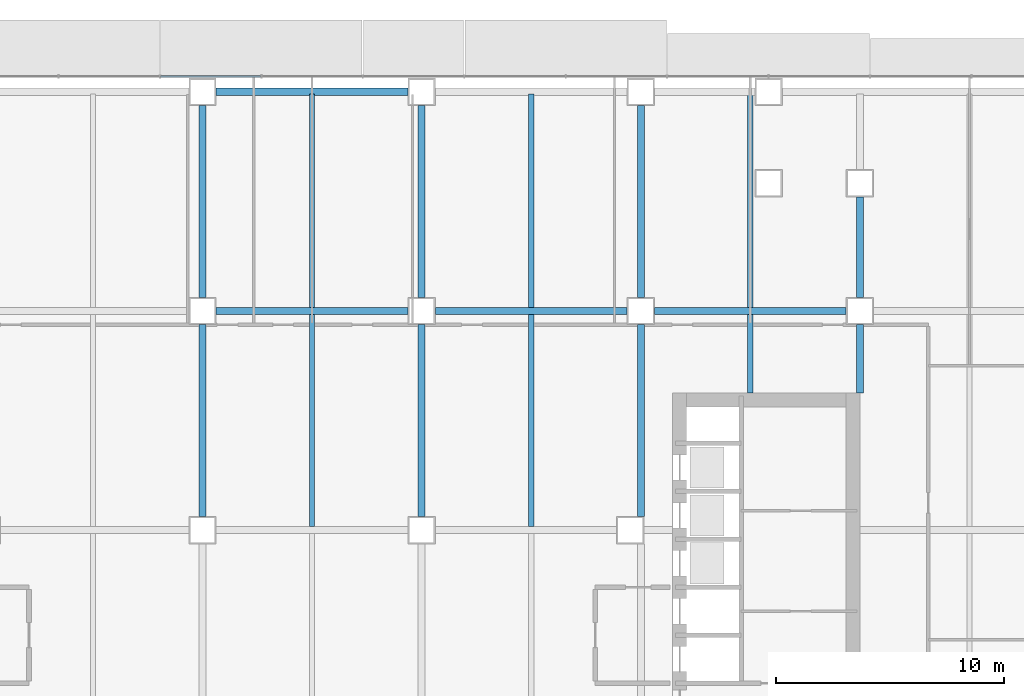
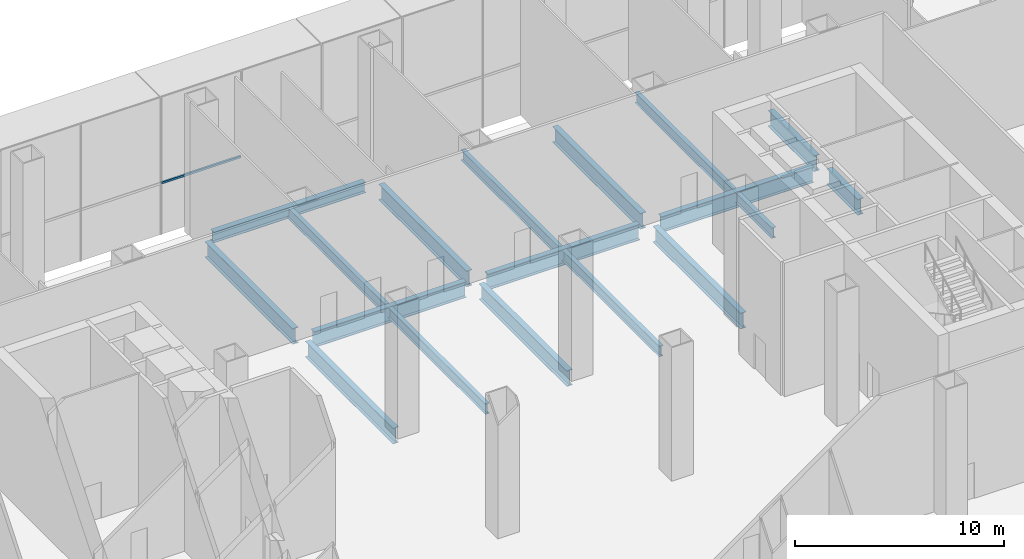
# One storey, part 9 of 24: 18 beams, 1 member, 1 element without a shape of its own.
"""IFC4 building model written with IfcOpenShell, lengths in metres."""

from ifc_helpers import new_model, si_unit, direction, frame, origin, origin_2d, place, context, subcontext, project, spatial, rectangle, i_section, extrude, material, material_profile, profile_set, type_object, element, aggregate, save


model = new_model("IFC4")

# Units and contexts
model_context = context("Model", 3, precision=1e-05, world=origin(), true_north=direction((0.0, 1.0)))
body_context = subcontext(model_context, "Body", "Model", "MODEL_VIEW")
ifc_project = project(units=[si_unit("LENGTHUNIT", "METRE"), si_unit("AREAUNIT", "SQUARE_METRE"), si_unit("VOLUMEUNIT", "CUBIC_METRE"), si_unit("PLANEANGLEUNIT", "RADIAN"), si_unit("MASSUNIT", "GRAM", prefix="KILO")], contexts=[model_context])

# Site, building, storey
site_placement = place(None, origin())
site = spatial("IfcSite", under=ifc_project, at=site_placement, CompositionType="ELEMENT")
building_placement = place(site_placement, origin())
building = spatial("IfcBuilding", under=site, at=building_placement, Name="Cobrizo Arcos Hotel Tower", CompositionType="ELEMENT")
storey_placement = place(building_placement, frame((0.0, 0.0, 7.5)))
storey = spatial("IfcBuildingStorey", under=building, at=storey_placement, Name="L01", CompositionType="ELEMENT", Elevation=7.5)

# Curtain wall, member
ifc_material_1 = material(Name="Aluminium 6063-T6 anodised bronze", Category="aluminium")
curtain_wall_type = type_object("IfcCurtainWallType", Name="CW-A guest facade", PredefinedType="NOTDEFINED", material=ifc_material_1)
curtain_wall_placement = place(storey_placement, origin())
curtain_wall = element("IfcCurtainWall", 1, at=curtain_wall_placement, inside=storey, type_object=curtain_wall_type, Name="CW-A L01 N face", PredefinedType="NOTDEFINED")
ifc_material_profile_1 = material_profile(ifc_material_1, rectangle(XDim=0.10009765625, YDim=0.1201171875, at=origin_2d()), Name="CW-A transom 120x100")
ifc_profile_set_1 = profile_set([ifc_material_profile_1], Name="Aluminium 6063-T6 anodised bronze")
member_type = type_object("IfcMemberType", Name="CW-A transom 120x100", PredefinedType="USERDEFINED", material=ifc_profile_set_1)
member_placement = place(storey_placement, frame((-2.252197265625, 24.675048828125, 3.0), z_axis=(-1.0, 0.0, 0.0), x_axis=(0.0, -1.0, 0.0)))
member = element("IfcMember", 2, at=member_placement, type_object=member_type, Name="CW-A transom 72", ObjectType="TRANSOM", PredefinedType="USERDEFINED", context=body_context, shape_type="SweptSolid", body=[
    extrude(rectangle(XDim=0.10009765625, YDim=0.1201171875, at=origin_2d()), origin(), (0.0, 0.0, 1.0), 4.384521484375),
])
aggregate(curtain_wall, [member])

# Beams
ifc_material_2 = material(Name="Steel ASTM A992 Grade 50", Category="steel")
ifc_material_profile_2 = material_profile(ifc_material_2, i_section(OverallWidth=0.32763671875, OverallDepth=0.622314453125, WebThickness=0.015380859375, FlangeThickness=0.0244140625, at=origin_2d()), Name="W24X131")
ifc_profile_set_2 = profile_set([ifc_material_profile_2], Name="Steel ASTM A992 Grade 50")
beam_type_1 = type_object("IfcBeamType", Name="W24X131 spandrel", PredefinedType="SPANDREL", material=ifc_profile_set_2)
beam_1_placement = place(storey_placement, frame((4.199951171875, 24.0, -0.56103515625), z_axis=(-1.0, 0.0, 0.0), x_axis=(0.0, -1.0, 0.0)))
element("IfcBeam", 3, at=beam_1_placement, inside=storey, type_object=beam_type_1, Name="Spandrel beam W24X131, L01, no. 004", PredefinedType="SPANDREL", context=body_context, shape_type="SweptSolid", body=[
    extrude(i_section(OverallWidth=0.32763671875, OverallDepth=0.622314453125, WebThickness=0.015380859375, FlangeThickness=0.0244140625, at=origin_2d()), origin(), (0.0, 0.0, 1.0), 8.39990234375),
])
ifc_material_profile_3 = material_profile(ifc_material_2, i_section(OverallWidth=0.23046875, OverallDepth=0.6171875, WebThickness=0.01318359375, FlangeThickness=0.022216796875, at=origin_2d()), Name="W24X94")
ifc_profile_set_3 = profile_set([ifc_material_profile_3], Name="Steel ASTM A992 Grade 50")
beam_type_2 = type_object("IfcBeamType", Name="W24X94 podium joist", PredefinedType="JOIST", material=ifc_profile_set_3)
beam_2_placement = place(storey_placement, frame((0.0, 4.95361328125, -0.55859375), z_axis=(0.0, 1.0, 0.0), x_axis=(-1.0, 0.0, 0.0)))
element("IfcBeam", 4, at=beam_2_placement, inside=storey, type_object=beam_type_2, Name="Podium joist PJ1, L01, no. 018", PredefinedType="JOIST", context=body_context, shape_type="SweptSolid", body=[
    extrude(i_section(OverallWidth=0.23046875, OverallDepth=0.6171875, WebThickness=0.01318359375, FlangeThickness=0.022216796875, at=origin_2d()), origin(), (0.0, 0.0, 1.0), 9.292724609375),
])
beam_3_placement = place(storey_placement, frame((0.0, 14.5537109375, -0.55859375), z_axis=(0.0, 1.0, 0.0), x_axis=(-1.0, 0.0, 0.0)))
element("IfcBeam", 5, at=beam_3_placement, inside=storey, type_object=beam_type_2, Name="Podium joist PJ1, L01, no. 019", PredefinedType="JOIST", context=body_context, shape_type="SweptSolid", body=[
    extrude(i_section(OverallWidth=0.23046875, OverallDepth=0.6171875, WebThickness=0.01318359375, FlangeThickness=0.022216796875, at=origin_2d()), origin(), (0.0, 0.0, 1.0), 9.356201171875),
])
beam_4_placement = place(storey_placement, frame((9.60009765625, 4.95361328125, -0.55859375), z_axis=(0.0, 1.0, 0.0), x_axis=(-1.0, 0.0, 0.0)))
element("IfcBeam", 6, at=beam_4_placement, inside=storey, type_object=beam_type_2, Name="Podium joist PJ1, L01, no. 023", PredefinedType="JOIST", context=body_context, shape_type="SweptSolid", body=[
    extrude(i_section(OverallWidth=0.23046875, OverallDepth=0.6171875, WebThickness=0.01318359375, FlangeThickness=0.022216796875, at=origin_2d()), origin(), (0.0, 0.0, 1.0), 9.292724609375),
])
beam_5_placement = place(storey_placement, frame((9.60009765625, 14.5537109375, -0.55859375), z_axis=(0.0, 1.0, 0.0), x_axis=(-1.0, 0.0, 0.0)))
element("IfcBeam", 7, at=beam_5_placement, inside=storey, type_object=beam_type_2, Name="Podium joist PJ1, L01, no. 024", PredefinedType="JOIST", context=body_context, shape_type="SweptSolid", body=[
    extrude(i_section(OverallWidth=0.23046875, OverallDepth=0.6171875, WebThickness=0.01318359375, FlangeThickness=0.022216796875, at=origin_2d()), origin(), (0.0, 0.0, 1.0), 9.356201171875),
])
beam_6_placement = place(storey_placement, frame((19.199951171875, 10.81005859375, -0.55859375), z_axis=(0.0, 1.0, 0.0), x_axis=(-1.0, 0.0, 0.0)))
element("IfcBeam", 8, at=beam_6_placement, inside=storey, type_object=beam_type_2, Name="Podium joist PJ1, L01, no. 027", PredefinedType="JOIST", context=body_context, shape_type="SweptSolid", body=[
    extrude(i_section(OverallWidth=0.23046875, OverallDepth=0.6171875, WebThickness=0.01318359375, FlangeThickness=0.022216796875, at=origin_2d()), origin(), (0.0, 0.0, 1.0), 3.436279296875),
])
beam_7_placement = place(storey_placement, frame((19.199951171875, 14.5537109375, -0.55859375), z_axis=(0.0, 1.0, 0.0), x_axis=(-1.0, 0.0, 0.0)))
element("IfcBeam", 9, at=beam_7_placement, inside=storey, type_object=beam_type_2, Name="Podium joist PJ1, L01, no. 028", PredefinedType="JOIST", context=body_context, shape_type="SweptSolid", body=[
    extrude(i_section(OverallWidth=0.23046875, OverallDepth=0.6171875, WebThickness=0.01318359375, FlangeThickness=0.022216796875, at=origin_2d()), origin(), (0.0, 0.0, 1.0), 9.356201171875),
])
ifc_material_profile_4 = material_profile(ifc_material_2, i_section(OverallWidth=0.307373046875, OverallDepth=0.927001953125, WebThickness=0.01953125, FlangeThickness=0.031982421875, at=origin_2d()), Name="W36X194")
ifc_profile_set_4 = profile_set([ifc_material_profile_4], Name="Steel ASTM A992 Grade 50")
beam_type_3 = type_object("IfcBeamType", Name="W36X194 podium girder", PredefinedType="BEAM", material=ifc_profile_set_4)
beam_8_placement = place(storey_placement, frame((-4.199951171875, 14.39990234375, -0.71337890625), z_axis=(1.0, 0.0, 0.0), x_axis=(0.0, 1.0, 0.0)))
element("IfcBeam", 10, at=beam_8_placement, inside=storey, type_object=beam_type_3, Name="Podium girder PG1, L01, no. 030", PredefinedType="BEAM", context=body_context, shape_type="SweptSolid", body=[
    extrude(i_section(OverallWidth=0.307373046875, OverallDepth=0.927001953125, WebThickness=0.01953125, FlangeThickness=0.031982421875, at=origin_2d()), origin(), (0.0, 0.0, 1.0), 8.39990234375),
])
beam_9_placement = place(storey_placement, frame((5.39990234375, 14.39990234375, -0.71337890625), z_axis=(1.0, 0.0, 0.0), x_axis=(0.0, 1.0, 0.0)))
element("IfcBeam", 11, at=beam_9_placement, inside=storey, type_object=beam_type_3, Name="Podium girder PG1, L01, no. 031", PredefinedType="BEAM", context=body_context, shape_type="SweptSolid", body=[
    extrude(i_section(OverallWidth=0.307373046875, OverallDepth=0.927001953125, WebThickness=0.01953125, FlangeThickness=0.031982421875, at=origin_2d()), origin(), (0.0, 0.0, 1.0), 8.400146484375),
])
beam_10_placement = place(storey_placement, frame((15.0, 14.39990234375, -0.71337890625), z_axis=(1.0, 0.0, 0.0), x_axis=(0.0, 1.0, 0.0)))
element("IfcBeam", 12, at=beam_10_placement, inside=storey, type_object=beam_type_3, Name="Podium girder PG1, L01, no. 032", PredefinedType="BEAM", context=body_context, shape_type="SweptSolid", body=[
    extrude(i_section(OverallWidth=0.307373046875, OverallDepth=0.927001953125, WebThickness=0.01953125, FlangeThickness=0.031982421875, at=origin_2d()), origin(), (0.0, 0.0, 1.0), 8.39990234375),
])
beam_11_placement = place(storey_placement, frame((-4.800048828125, 5.39990234375, -0.71337890625), z_axis=(0.0, 1.0, 0.0), x_axis=(-1.0, 0.0, 0.0)))
element("IfcBeam", 13, at=beam_11_placement, inside=storey, type_object=beam_type_3, Name="Podium girder PG1, L01, no. 054", PredefinedType="BEAM", context=body_context, shape_type="SweptSolid", body=[
    extrude(i_section(OverallWidth=0.307373046875, OverallDepth=0.927001953125, WebThickness=0.01953125, FlangeThickness=0.031982421875, at=origin_2d()), origin(), (0.0, 0.0, 1.0), 8.400146484375),
])
beam_12_placement = place(storey_placement, frame((-4.800048828125, 15.0, -0.71337890625), z_axis=(0.0, 1.0, 0.0), x_axis=(-1.0, 0.0, 0.0)))
element("IfcBeam", 14, at=beam_12_placement, inside=storey, type_object=beam_type_3, Name="Podium girder PG1, L01, no. 055", PredefinedType="BEAM", context=body_context, shape_type="SweptSolid", body=[
    extrude(i_section(OverallWidth=0.307373046875, OverallDepth=0.927001953125, WebThickness=0.01953125, FlangeThickness=0.031982421875, at=origin_2d()), origin(), (0.0, 0.0, 1.0), 8.39990234375),
])
beam_13_placement = place(storey_placement, frame((4.800048828125, 5.39990234375, -0.71337890625), z_axis=(0.0, 1.0, 0.0), x_axis=(-1.0, 0.0, 0.0)))
element("IfcBeam", 15, at=beam_13_placement, inside=storey, type_object=beam_type_3, Name="Podium girder PG1, L01, no. 059", PredefinedType="BEAM", context=body_context, shape_type="SweptSolid", body=[
    extrude(i_section(OverallWidth=0.307373046875, OverallDepth=0.927001953125, WebThickness=0.01953125, FlangeThickness=0.031982421875, at=origin_2d()), origin(), (0.0, 0.0, 1.0), 8.400146484375),
])
beam_14_placement = place(storey_placement, frame((4.800048828125, 15.0, -0.71337890625), z_axis=(0.0, 1.0, 0.0), x_axis=(-1.0, 0.0, 0.0)))
element("IfcBeam", 16, at=beam_14_placement, inside=storey, type_object=beam_type_3, Name="Podium girder PG1, L01, no. 060", PredefinedType="BEAM", context=body_context, shape_type="SweptSolid", body=[
    extrude(i_section(OverallWidth=0.307373046875, OverallDepth=0.927001953125, WebThickness=0.01953125, FlangeThickness=0.031982421875, at=origin_2d()), origin(), (0.0, 0.0, 1.0), 8.39990234375),
])
beam_15_placement = place(storey_placement, frame((14.39990234375, 5.39990234375, -0.71337890625), z_axis=(0.0, 1.0, 0.0), x_axis=(-1.0, 0.0, 0.0)))
element("IfcBeam", 17, at=beam_15_placement, inside=storey, type_object=beam_type_3, Name="Podium girder PG1, L01, no. 064", PredefinedType="BEAM", context=body_context, shape_type="SweptSolid", body=[
    extrude(i_section(OverallWidth=0.307373046875, OverallDepth=0.927001953125, WebThickness=0.01953125, FlangeThickness=0.031982421875, at=origin_2d()), origin(), (0.0, 0.0, 1.0), 8.400146484375),
])
beam_16_placement = place(storey_placement, frame((14.39990234375, 15.0, -0.71337890625), z_axis=(0.0, 1.0, 0.0), x_axis=(-1.0, 0.0, 0.0)))
element("IfcBeam", 18, at=beam_16_placement, inside=storey, type_object=beam_type_3, Name="Podium girder PG1, L01, no. 065", PredefinedType="BEAM", context=body_context, shape_type="SweptSolid", body=[
    extrude(i_section(OverallWidth=0.307373046875, OverallDepth=0.927001953125, WebThickness=0.01953125, FlangeThickness=0.031982421875, at=origin_2d()), origin(), (0.0, 0.0, 1.0), 8.39990234375),
])
beam_17_placement = place(storey_placement, frame((24.0, 10.81005859375, -0.71337890625), z_axis=(0.0, 1.0, 0.0), x_axis=(-1.0, 0.0, 0.0)))
element("IfcBeam", 19, at=beam_17_placement, inside=storey, type_object=beam_type_3, Name="Podium girder PG1, L01, no. 069", PredefinedType="BEAM", context=body_context, shape_type="SweptSolid", body=[
    extrude(i_section(OverallWidth=0.307373046875, OverallDepth=0.927001953125, WebThickness=0.01953125, FlangeThickness=0.031982421875, at=origin_2d()), origin(), (0.0, 0.0, 1.0), 2.989990234375),
])
beam_18_placement = place(storey_placement, frame((24.0, 15.0, -0.71337890625), z_axis=(0.0, 1.0, 0.0), x_axis=(-1.0, 0.0, 0.0)))
element("IfcBeam", 20, at=beam_18_placement, inside=storey, type_object=beam_type_3, Name="Podium girder PG1, L01, no. 070", PredefinedType="BEAM", context=body_context, shape_type="SweptSolid", body=[
    extrude(i_section(OverallWidth=0.307373046875, OverallDepth=0.927001953125, WebThickness=0.01953125, FlangeThickness=0.031982421875, at=origin_2d()), origin(), (0.0, 0.0, 1.0), 4.39990234375),
])

save(model, "model.ifc")
